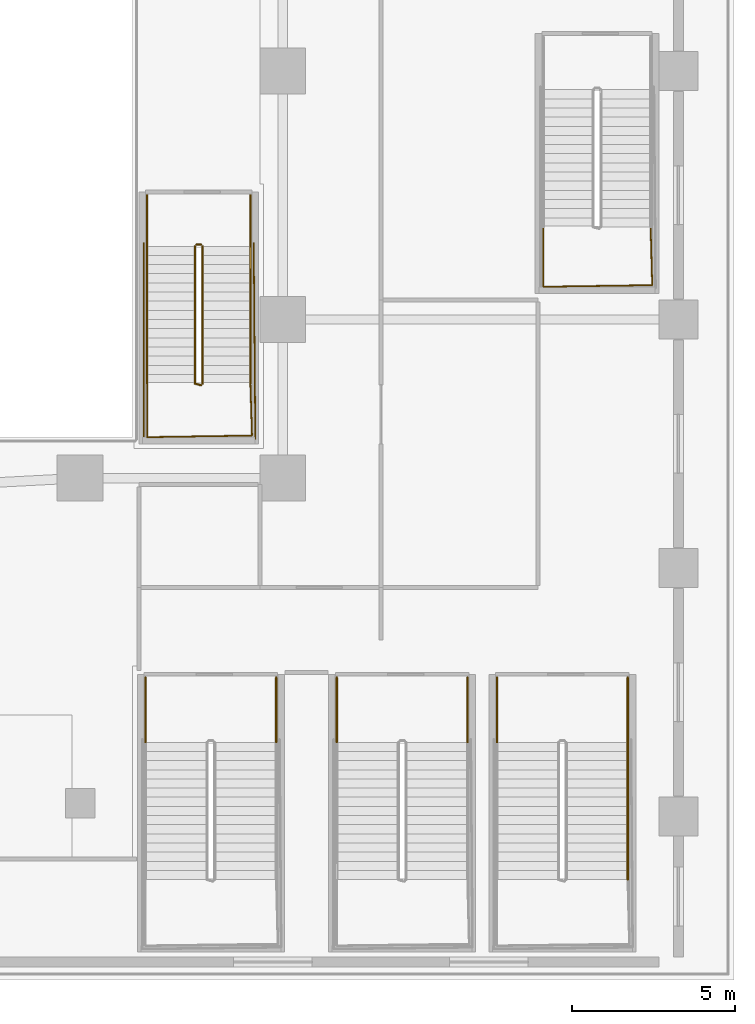
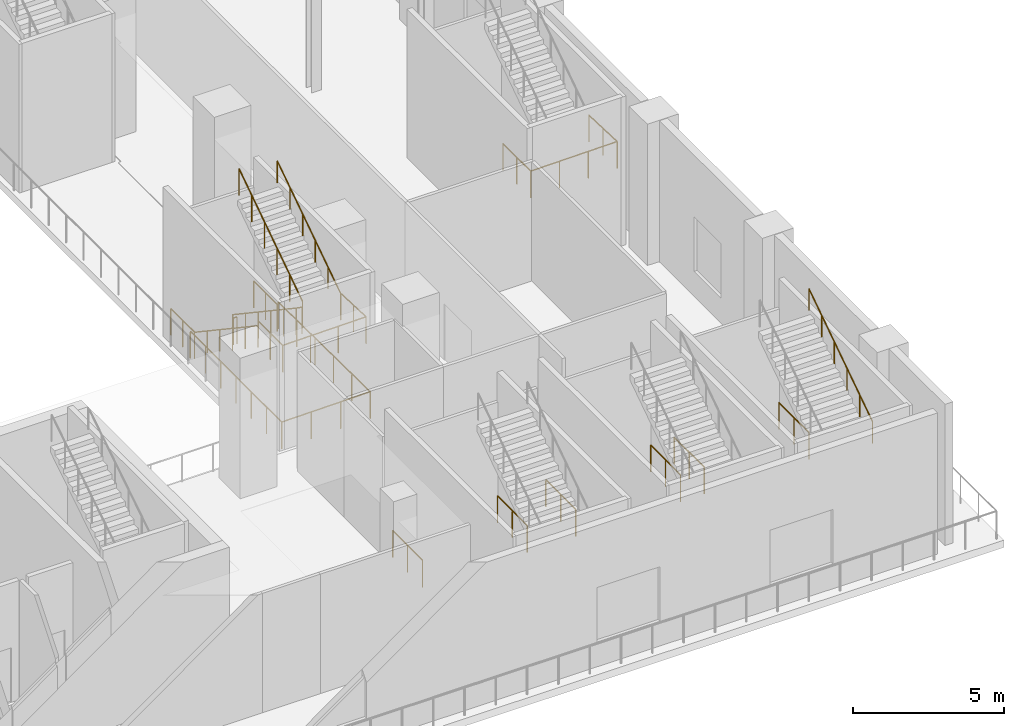
# One storey, part 26 of 29: 17 railings.
"""IFC4 building model written with IfcOpenShell, lengths in metres."""

from ifc_helpers import new_model, si_unit, direction, frame, origin, origin_2d, place, context, subcontext, project, spatial, circle, extrude, material, layer, layer_set, type_object, element, save


model = new_model("IFC4")

# Units and contexts
model_context = context("Model", 3, precision=1e-05, world=origin(), true_north=direction((0.0, 1.0)))
body_context = subcontext(model_context, "Body", "Model", "MODEL_VIEW")
ifc_project = project(units=[si_unit("LENGTHUNIT", "METRE"), si_unit("AREAUNIT", "SQUARE_METRE"), si_unit("VOLUMEUNIT", "CUBIC_METRE"), si_unit("PLANEANGLEUNIT", "RADIAN"), si_unit("MASSUNIT", "GRAM", prefix="KILO")], contexts=[model_context])

# Site, building, storey
site_placement = place(None, origin())
site = spatial("IfcSite", under=ifc_project, at=site_placement, CompositionType="ELEMENT")
building_placement = place(site_placement, origin())
building = spatial("IfcBuilding", under=site, at=building_placement, Name="Ndaravel Arena Tower", CompositionType="ELEMENT")
storey_placement = place(building_placement, frame((0.0, 0.0, 12.0)))
storey = spatial("IfcBuildingStorey", under=building, at=storey_placement, Name="L02", CompositionType="ELEMENT", Elevation=12.0)

# Railings
ifc_material_1 = material(Name="Steel S355", Category="steel")
ifc_layer_1 = layer(ifc_material_1, 0.06005859375)
ifc_layer_set_1 = layer_set([ifc_layer_1], Name="Steel S355")
railing_type_1 = type_object("IfcRailingType", Name="RAIL-STAIR-GD1100", PredefinedType="GUARDRAIL", material=ifc_layer_set_1)
for number, where, name in (
    (1, (66.0, 9.25, 0.0), "L02 ST-A04 stair guard 5"),
    (2, (70.0, 9.25, 0.0), "L02 ST-A04 stair guard 6"),
    (3, (71.85009765625, 9.25, 0.0), "L02 ST-A05 stair guard 5"),
    (4, (75.85009765625, 9.25, 0.0), "L02 ST-A05 stair guard 6"),
    (5, (76.75, 9.25, 0.0), "L02 ST-A06 stair guard 5"),
    (6, (80.75, 9.25, 0.0), "L02 ST-A06 stair guard 6"),
):
    element("IfcRailing", number, at=place(storey_placement, frame(where)), inside=storey, type_object=railing_type_1, Name=name, PredefinedType="GUARDRAIL", context=body_context, shape_type="SweptSolid", body=[
        extrude(circle(Radius=0.02392578125, at=origin_2d()), frame((0.0, 0.0, 1.076171875), z_axis=(0.0, -1.0, 0.0), x_axis=(1.0, 0.0, 0.0)), (0.0, 0.0, 1.0), 1.97998046875),
        extrude(circle(Radius=0.02099609375, at=origin_2d()), origin(), (0.0, 0.0, 1.0), 1.052001953125),
        extrude(circle(Radius=0.02099609375, at=origin_2d()), frame((0.0, -0.989990234375, 0.0)), (0.0, 0.0, 1.0), 1.052001953125),
        extrude(circle(Radius=0.02099609375, at=origin_2d()), frame((0.0, -1.97998046875, 0.0)), (0.0, 0.0, 1.0), 1.052001953125),
    ])
railing_1_placement = place(storey_placement, frame((78.169921875, 23.030029296875, 3.0)))
element("IfcRailing", 7, at=railing_1_placement, inside=storey, type_object=railing_type_1, Name="L02 ST-A12 stair guard 2", PredefinedType="GUARDRAIL", context=body_context, shape_type="SweptSolid", body=[
    extrude(circle(Radius=0.02392578125, at=origin_2d()), frame((0.0, 0.0, 1.076171875), z_axis=(0.0, -1.0, 0.0), x_axis=(1.0, 0.0, 0.0)), (0.0, 0.0, 1.0), 1.830078125),
    extrude(circle(Radius=0.02392578125, at=origin_2d()), frame((0.0, -1.830078125, 1.076171875), z_axis=(0.999887078817, 0.015027628384, 0.0), x_axis=(-0.015027628384, 0.999887078817, 0.0)), (0.0, 0.0, 1.0), 3.33056640625),
    extrude(circle(Radius=0.02392578125, at=origin_2d()), frame((3.330078125, -1.780029296875, 1.076171875), z_axis=(-0.028105748986, 0.999604955407, 0.0), x_axis=(-0.999604955407, -0.028105748986, 0.0)), (0.0, 0.0, 1.0), 1.78076171875),
    extrude(circle(Radius=0.02099609375, at=origin_2d()), origin(), (0.0, 0.0, 1.0), 1.052001953125),
    extrude(circle(Radius=0.02099609375, at=origin_2d()), frame((0.0, -0.9150390625, 0.0)), (0.0, 0.0, 1.0), 1.052001953125),
    extrude(circle(Radius=0.02099609375, at=origin_2d()), frame((0.0, -1.830078125, 0.0)), (0.0, 0.0, 1.0), 1.052001953125),
    extrude(circle(Radius=0.02099609375, at=origin_2d()), frame((1.110107421875, -1.8134765625, 0.0)), (0.0, 0.0, 1.0), 1.052001953125),
    extrude(circle(Radius=0.02099609375, at=origin_2d()), frame((2.219970703125, -1.796630859375, 0.0)), (0.0, 0.0, 1.0), 1.052001953125),
    extrude(circle(Radius=0.02099609375, at=origin_2d()), frame((3.330078125, -1.780029296875, 0.0)), (0.0, 0.0, 1.0), 1.052001953125),
    extrude(circle(Radius=0.02099609375, at=origin_2d()), frame((3.30517578125, -0.89013671875, 0.0)), (0.0, 0.0, 1.0), 1.052001953125),
    extrude(circle(Radius=0.02099609375, at=origin_2d()), frame((3.280029296875, 0.0, 0.0)), (0.0, 0.0, 1.0), 1.052001953125),
])
railing_2_placement = place(storey_placement, frame((67.510009765625, 22.43994140625, 0.1875)))
element("IfcRailing", 8, at=railing_2_placement, inside=storey, type_object=railing_type_1, Name="L02 ST-VOM-3 stair guard 1", PredefinedType="GUARDRAIL", context=body_context, shape_type="SweptSolid", body=[
    extrude(circle(Radius=0.02392578125, at=origin_2d()), frame((0.0, 0.0, 1.076171875), z_axis=(0.0, -0.830904186295, 0.556415522067), x_axis=(1.0, 0.0, 0.0)), (0.0, 0.0, 1.0), 5.0546875),
    extrude(circle(Radius=0.02392578125, at=origin_2d()), frame((0.0, -4.199951171875, 3.888671875), z_axis=(0.966993988697, -0.254799187253, 0.0), x_axis=(0.254799187253, 0.966993988697, 0.0)), (0.0, 0.0, 1.0), 0.196533203125),
    extrude(circle(Radius=0.02099609375, at=origin_2d()), origin(), (0.0, 0.0, 1.0), 1.052001953125),
    extrude(circle(Radius=0.02099609375, at=origin_2d()), frame((0.0, -0.840087890625, 0.5625)), (0.0, 0.0, 1.0), 1.052001953125),
    extrude(circle(Radius=0.02099609375, at=origin_2d()), frame((0.0, -1.679931640625, 1.125)), (0.0, 0.0, 1.0), 1.052001953125),
    extrude(circle(Radius=0.02099609375, at=origin_2d()), frame((0.0, -2.52001953125, 1.6875)), (0.0, 0.0, 1.0), 1.052001953125),
    extrude(circle(Radius=0.02099609375, at=origin_2d()), frame((0.0, -3.35986328125, 2.25)), (0.0, 0.0, 1.0), 1.052001953125),
    extrude(circle(Radius=0.02099609375, at=origin_2d()), frame((0.0, -4.199951171875, 2.8125)), (0.0, 0.0, 1.0), 1.052001953125),
    extrude(circle(Radius=0.02099609375, at=origin_2d()), frame((0.18994140625, -4.25, 2.8125)), (0.0, 0.0, 1.0), 1.052001953125),
])
railing_3_placement = place(storey_placement, frame((66.050048828125, 18.239990234375, 3.0)))
element("IfcRailing", 9, at=railing_3_placement, inside=storey, type_object=railing_type_1, Name="L02 ST-VOM-3 stair guard 2", PredefinedType="GUARDRAIL", context=body_context, shape_type="SweptSolid", body=[
    extrude(circle(Radius=0.02392578125, at=origin_2d()), frame((0.0, 0.0, 1.076171875), z_axis=(0.0, -1.0, 0.0), x_axis=(1.0, 0.0, 0.0)), (0.0, 0.0, 1.0), 1.639892578125),
    extrude(circle(Radius=0.02392578125, at=origin_2d()), frame((0.0, -1.639892578125, 1.076171875), z_axis=(0.999879653755, 0.01551380053, 0.0), x_axis=(-0.01551380053, 0.999879653755, 0.0)), (0.0, 0.0, 1.0), 3.21044921875),
    extrude(circle(Radius=0.02392578125, at=origin_2d()), frame((3.2099609375, -1.590087890625, 1.076171875), z_axis=(-0.031459930577, 0.999505013878, 0.0), x_axis=(-0.999505013878, -0.031459930577, 0.0)), (0.0, 0.0, 1.0), 1.5908203125),
    extrude(circle(Radius=0.02099609375, at=origin_2d()), origin(), (0.0, 0.0, 1.0), 1.052001953125),
    extrude(circle(Radius=0.02099609375, at=origin_2d()), frame((0.0, -0.81982421875, 0.0)), (0.0, 0.0, 1.0), 1.052001953125),
    extrude(circle(Radius=0.02099609375, at=origin_2d()), frame((0.0, -1.639892578125, 0.0)), (0.0, 0.0, 1.0), 1.052001953125),
    extrude(circle(Radius=0.02099609375, at=origin_2d()), frame((1.070068359375, -1.623291015625, 0.0)), (0.0, 0.0, 1.0), 1.052001953125),
    extrude(circle(Radius=0.02099609375, at=origin_2d()), frame((2.139892578125, -1.606689453125, 0.0)), (0.0, 0.0, 1.0), 1.052001953125),
    extrude(circle(Radius=0.02099609375, at=origin_2d()), frame((3.2099609375, -1.590087890625, 0.0)), (0.0, 0.0, 1.0), 1.052001953125),
    extrude(circle(Radius=0.02099609375, at=origin_2d()), frame((3.18505859375, -0.794921875, 0.0)), (0.0, 0.0, 1.0), 1.052001953125),
    extrude(circle(Radius=0.02099609375, at=origin_2d()), frame((3.159912109375, 0.0, 0.0)), (0.0, 0.0, 1.0), 1.052001953125),
])
railing_4_placement = place(storey_placement, frame((67.75, 18.239990234375, 3.1875)))
element("IfcRailing", 10, at=railing_4_placement, inside=storey, type_object=railing_type_1, Name="L02 ST-VOM-3 stair guard 3", PredefinedType="GUARDRAIL", context=body_context, shape_type="SweptSolid", body=[
    extrude(circle(Radius=0.02392578125, at=origin_2d()), frame((0.0, 0.0, 1.076171875), z_axis=(0.0, 0.830904186295, 0.556415522067), x_axis=(-1.0, 0.0, 0.0)), (0.0, 0.0, 1.0), 5.0546875),
    extrude(circle(Radius=0.02099609375, at=origin_2d()), origin(), (0.0, 0.0, 1.0), 1.052001953125),
    extrude(circle(Radius=0.02099609375, at=origin_2d()), frame((0.0, 0.840087890625, 0.5625)), (0.0, 0.0, 1.0), 1.052001953125),
    extrude(circle(Radius=0.02099609375, at=origin_2d()), frame((0.0, 1.679931640625, 1.125)), (0.0, 0.0, 1.0), 1.052001953125),
    extrude(circle(Radius=0.02099609375, at=origin_2d()), frame((0.0, 2.52001953125, 1.6875)), (0.0, 0.0, 1.0), 1.052001953125),
    extrude(circle(Radius=0.02099609375, at=origin_2d()), frame((0.0, 3.35986328125, 2.25)), (0.0, 0.0, 1.0), 1.052001953125),
    extrude(circle(Radius=0.02099609375, at=origin_2d()), frame((0.0, 4.199951171875, 2.8125)), (0.0, 0.0, 1.0), 1.052001953125),
])
railing_5_placement = place(storey_placement, frame((67.56005859375, 22.489990234375, 0.0)))
element("IfcRailing", 11, at=railing_5_placement, inside=storey, type_object=railing_type_1, Name="L02 ST-VOM-3 stair guard 4", PredefinedType="GUARDRAIL", context=body_context, shape_type="SweptSolid", body=[
    extrude(circle(Radius=0.02392578125, at=origin_2d()), frame((0.0, 0.0, 1.076171875), z_axis=(1.0, 0.0, 0.0), x_axis=(0.0, 1.0, 0.0)), (0.0, 0.0, 1.0), 0.139892578125),
    extrude(circle(Radius=0.02099609375, at=origin_2d()), origin(), (0.0, 0.0, 1.0), 1.052001953125),
    extrude(circle(Radius=0.02099609375, at=origin_2d()), frame((0.139892578125, 0.0, 0.0)), (0.0, 0.0, 1.0), 1.052001953125),
])
for number, where, name in (
    (12, (66.050048828125, 24.0, 0.0), "L02 ST-VOM-3 stair guard 5"),
    (13, (69.2099609375, 24.0, 0.0), "L02 ST-VOM-3 stair guard 6"),
):
    element("IfcRailing", number, at=place(storey_placement, frame(where)), inside=storey, type_object=railing_type_1, Name=name, PredefinedType="GUARDRAIL", context=body_context, shape_type="SweptSolid", body=[
        extrude(circle(Radius=0.02392578125, at=origin_2d()), frame((0.0, 0.0, 1.076171875), z_axis=(0.0, -1.0, 0.0), x_axis=(1.0, 0.0, 0.0)), (0.0, 0.0, 1.0), 1.56005859375),
        extrude(circle(Radius=0.02099609375, at=origin_2d()), origin(), (0.0, 0.0, 1.0), 1.052001953125),
        extrude(circle(Radius=0.02099609375, at=origin_2d()), frame((0.0, -0.780029296875, 0.0)), (0.0, 0.0, 1.0), 1.052001953125),
        extrude(circle(Radius=0.02099609375, at=origin_2d()), frame((0.0, -1.56005859375, 0.0)), (0.0, 0.0, 1.0), 1.052001953125),
    ])
railing_6_placement = place(storey_placement, frame((65.949951171875, 22.5400390625, 0.0)))
element("IfcRailing", 14, at=railing_6_placement, inside=storey, type_object=railing_type_1, Name="L02 ST-VOM-3 stair guard 7", PredefinedType="GUARDRAIL", context=body_context, shape_type="SweptSolid", body=[
    extrude(circle(Radius=0.02392578125, at=origin_2d()), frame((0.0, 0.0, 1.076171875), z_axis=(0.0, -1.0, 0.0), x_axis=(1.0, 0.0, 0.0)), (0.0, 0.0, 1.0), 6.0400390625),
    extrude(circle(Radius=0.02392578125, at=origin_2d()), frame((0.0, -6.0400390625, 1.076171875), z_axis=(0.99989231899, 0.014674822837, 0.0), x_axis=(-0.014674822837, 0.99989231899, 0.0)), (0.0, 0.0, 1.0), 3.41064453125),
    extrude(circle(Radius=0.02392578125, at=origin_2d()), frame((3.41015625, -5.989990234375, 1.076171875), z_axis=(-0.008355118995, 0.999965095384, 0.0), x_axis=(-0.999965095384, -0.008355118995, 0.0)), (0.0, 0.0, 1.0), 5.990234375),
    extrude(circle(Radius=0.02099609375, at=origin_2d()), origin(), (0.0, 0.0, 1.0), 1.052001953125),
    extrude(circle(Radius=0.02099609375, at=origin_2d()), frame((0.0, -1.006591796875, 0.0)), (0.0, 0.0, 1.0), 1.052001953125),
    extrude(circle(Radius=0.02099609375, at=origin_2d()), frame((0.0, -2.013427734375, 0.0)), (0.0, 0.0, 1.0), 1.052001953125),
    extrude(circle(Radius=0.02099609375, at=origin_2d()), frame((0.0, -3.02001953125, 0.0)), (0.0, 0.0, 1.0), 1.052001953125),
    extrude(circle(Radius=0.02099609375, at=origin_2d()), frame((0.0, -4.026611328125, 0.0)), (0.0, 0.0, 1.0), 1.052001953125),
    extrude(circle(Radius=0.02099609375, at=origin_2d()), frame((0.0, -5.033447265625, 0.0)), (0.0, 0.0, 1.0), 1.052001953125),
    extrude(circle(Radius=0.02099609375, at=origin_2d()), frame((0.0, -6.0400390625, 0.0)), (0.0, 0.0, 1.0), 1.052001953125),
    extrude(circle(Radius=0.02099609375, at=origin_2d()), frame((1.13671875, -6.0234375, 0.0)), (0.0, 0.0, 1.0), 1.052001953125),
    extrude(circle(Radius=0.02099609375, at=origin_2d()), frame((2.2734375, -6.006591796875, 0.0)), (0.0, 0.0, 1.0), 1.052001953125),
    extrude(circle(Radius=0.02099609375, at=origin_2d()), frame((3.41015625, -5.989990234375, 0.0)), (0.0, 0.0, 1.0), 1.052001953125),
    extrude(circle(Radius=0.02099609375, at=origin_2d()), frame((3.400146484375, -4.7919921875, 0.0)), (0.0, 0.0, 1.0), 1.052001953125),
    extrude(circle(Radius=0.02099609375, at=origin_2d()), frame((3.39013671875, -3.593994140625, 0.0)), (0.0, 0.0, 1.0), 1.052001953125),
    extrude(circle(Radius=0.02099609375, at=origin_2d()), frame((3.380126953125, -2.39599609375, 0.0)), (0.0, 0.0, 1.0), 1.052001953125),
    extrude(circle(Radius=0.02099609375, at=origin_2d()), frame((3.3701171875, -1.197998046875, 0.0)), (0.0, 0.0, 1.0), 1.052001953125),
    extrude(circle(Radius=0.02099609375, at=origin_2d()), frame((3.360107421875, 0.0, 0.0)), (0.0, 0.0, 1.0), 1.052001953125),
])
ifc_material_2 = material(Name="Steel S355", Category="steel")
ifc_layer_2 = layer(ifc_material_2, 0.050048828125)
ifc_layer_set_2 = layer_set([ifc_layer_2], Name="Steel S355")
railing_type_2 = type_object("IfcRailingType", Name="RAIL-STAIR-HR920", PredefinedType="HANDRAIL", material=ifc_layer_set_2)
railing_7_placement = place(storey_placement, frame((80.75, 3.070068359375, 3.1875)))
element("IfcRailing", 15, at=railing_7_placement, inside=storey, type_object=railing_type_2, Name="L02 ST-A06 stair handrail 2", PredefinedType="HANDRAIL", context=body_context, shape_type="SweptSolid", body=[
    extrude(circle(Radius=0.02392578125, at=origin_2d()), frame((0.0, 0.0, 0.8759765625), z_axis=(0.0, 0.830904186295, 0.556415522067), x_axis=(-1.0, 0.0, 0.0)), (0.0, 0.0, 1.0), 5.0546875),
    extrude(circle(Radius=0.02099609375, at=origin_2d()), origin(), (0.0, 0.0, 1.0), 0.851806640625),
    extrude(circle(Radius=0.02099609375, at=origin_2d()), frame((0.0, 0.840087890625, 0.5625)), (0.0, 0.0, 1.0), 0.851806640625),
    extrude(circle(Radius=0.02099609375, at=origin_2d()), frame((0.0, 1.679931640625, 1.125)), (0.0, 0.0, 1.0), 0.851806640625),
    extrude(circle(Radius=0.02099609375, at=origin_2d()), frame((0.0, 2.52001953125, 1.6875)), (0.0, 0.0, 1.0), 0.851806640625),
    extrude(circle(Radius=0.02099609375, at=origin_2d()), frame((0.0, 3.35986328125, 2.25)), (0.0, 0.0, 1.0), 0.851806640625),
    extrude(circle(Radius=0.02099609375, at=origin_2d()), frame((0.0, 4.199951171875, 2.8125)), (0.0, 0.0, 1.0), 0.851806640625),
])
railing_8_placement = place(storey_placement, frame((66.050048828125, 22.43994140625, 0.1875)))
element("IfcRailing", 16, at=railing_8_placement, inside=storey, type_object=railing_type_2, Name="L02 ST-VOM-3 stair handrail 1", PredefinedType="HANDRAIL", context=body_context, shape_type="SweptSolid", body=[
    extrude(circle(Radius=0.02392578125, at=origin_2d()), frame((0.0, 0.0, 0.8759765625), z_axis=(0.0, -0.830904186295, 0.556415522067), x_axis=(1.0, 0.0, 0.0)), (0.0, 0.0, 1.0), 5.0546875),
    extrude(circle(Radius=0.02099609375, at=origin_2d()), origin(), (0.0, 0.0, 1.0), 0.851806640625),
    extrude(circle(Radius=0.02099609375, at=origin_2d()), frame((0.0, -0.840087890625, 0.5625)), (0.0, 0.0, 1.0), 0.851806640625),
    extrude(circle(Radius=0.02099609375, at=origin_2d()), frame((0.0, -1.679931640625, 1.125)), (0.0, 0.0, 1.0), 0.851806640625),
    extrude(circle(Radius=0.02099609375, at=origin_2d()), frame((0.0, -2.52001953125, 1.6875)), (0.0, 0.0, 1.0), 0.851806640625),
    extrude(circle(Radius=0.02099609375, at=origin_2d()), frame((0.0, -3.35986328125, 2.25)), (0.0, 0.0, 1.0), 0.851806640625),
    extrude(circle(Radius=0.02099609375, at=origin_2d()), frame((0.0, -4.199951171875, 2.8125)), (0.0, 0.0, 1.0), 0.851806640625),
])
railing_9_placement = place(storey_placement, frame((69.2099609375, 18.239990234375, 3.1875)))
element("IfcRailing", 17, at=railing_9_placement, inside=storey, type_object=railing_type_2, Name="L02 ST-VOM-3 stair handrail 2", PredefinedType="HANDRAIL", context=body_context, shape_type="SweptSolid", body=[
    extrude(circle(Radius=0.02392578125, at=origin_2d()), frame((0.0, 0.0, 0.8759765625), z_axis=(0.0, 0.830904186295, 0.556415522067), x_axis=(-1.0, 0.0, 0.0)), (0.0, 0.0, 1.0), 5.0546875),
    extrude(circle(Radius=0.02099609375, at=origin_2d()), origin(), (0.0, 0.0, 1.0), 0.851806640625),
    extrude(circle(Radius=0.02099609375, at=origin_2d()), frame((0.0, 0.840087890625, 0.5625)), (0.0, 0.0, 1.0), 0.851806640625),
    extrude(circle(Radius=0.02099609375, at=origin_2d()), frame((0.0, 1.679931640625, 1.125)), (0.0, 0.0, 1.0), 0.851806640625),
    extrude(circle(Radius=0.02099609375, at=origin_2d()), frame((0.0, 2.52001953125, 1.6875)), (0.0, 0.0, 1.0), 0.851806640625),
    extrude(circle(Radius=0.02099609375, at=origin_2d()), frame((0.0, 3.35986328125, 2.25)), (0.0, 0.0, 1.0), 0.851806640625),
    extrude(circle(Radius=0.02099609375, at=origin_2d()), frame((0.0, 4.199951171875, 2.8125)), (0.0, 0.0, 1.0), 0.851806640625),
])

save(model, "model.ifc")
